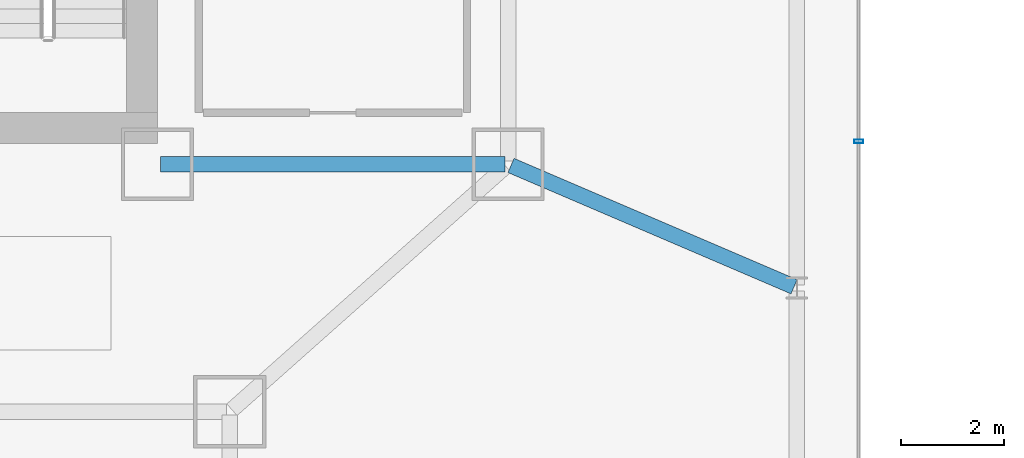
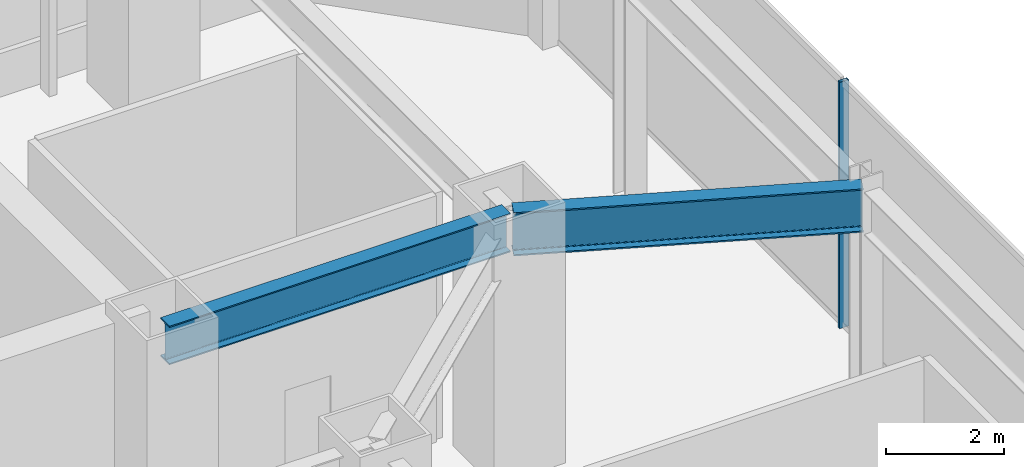
# One storey, part 29 of 51: 2 beams, 1 member, 1 element without a shape of its own.
"""IFC4 building model written with IfcOpenShell, lengths in metres."""

from ifc_helpers import new_model, si_unit, direction, frame, origin, origin_2d, place, context, subcontext, project, spatial, hollow_rectangle, i_section, extrude, material, material_profile, profile_set, type_object, element, aggregate, save


model = new_model("IFC4")

# Units and contexts
model_context = context("Model", 3, precision=1e-05, world=origin(), true_north=direction((0.0, 1.0)))
body_context = subcontext(model_context, "Body", "Model", "MODEL_VIEW")
ifc_project = project(units=[si_unit("LENGTHUNIT", "METRE"), si_unit("AREAUNIT", "SQUARE_METRE"), si_unit("VOLUMEUNIT", "CUBIC_METRE"), si_unit("PLANEANGLEUNIT", "RADIAN"), si_unit("MASSUNIT", "GRAM", prefix="KILO")], contexts=[model_context])

# Site, building, storey
site_placement = place(None, origin())
site = spatial("IfcSite", under=ifc_project, at=site_placement, CompositionType="ELEMENT")
building_placement = place(site_placement, origin())
building = spatial("IfcBuilding", under=site, at=building_placement, Name="Saevonmaru Cultural Tower", CompositionType="ELEMENT")
storey_placement = place(building_placement, frame((0.0, 0.0, 6.0)))
storey = spatial("IfcBuildingStorey", under=building, at=storey_placement, Name="L01", CompositionType="ELEMENT", Elevation=6.0)

# Beams
ifc_material_1 = material(Name="Steel SM420", Category="steel")
ifc_material_profile_1 = material_profile(ifc_material_1, i_section(OverallWidth=0.300048828125, OverallDepth=0.800048828125, WebThickness=0.013916015625, FlangeThickness=0.02587890625, FilletRadius=0.028076171875, at=origin_2d()), Name="H-800x300x14x26")
ifc_profile_set_1 = profile_set([ifc_material_profile_1], Name="Steel SM420")
beam_type_1 = type_object("IfcBeamType", Name="BM-G-H800", PredefinedType="BEAM", material=ifc_profile_set_1)
beam_1_placement = place(storey_placement, frame((46.4599609375, 42.39990234375, 4.699951171875), z_axis=(1.0, 0.0, 0.0), x_axis=(0.0, 1.0, 0.0)))
element("IfcBeam", 1, at=beam_1_placement, inside=storey, type_object=beam_type_1, Name="L01 Core South Girder 5", PredefinedType="BEAM", context=body_context, shape_type="SweptSolid", body=[
    extrude(i_section(OverallWidth=0.300048828125, OverallDepth=0.800048828125, WebThickness=0.013916015625, FlangeThickness=0.02587890625, FilletRadius=0.028076171875, at=origin_2d()), origin(), (0.0, 0.0, 1.0), 6.679931640625),
])
ifc_material_profile_2 = material_profile(ifc_material_1, i_section(OverallWidth=0.300048828125, OverallDepth=0.89990234375, WebThickness=0.01611328125, FlangeThickness=0.028076171875, FilletRadius=0.028076171875, at=origin_2d()), Name="H-900x300x16x28")
ifc_profile_set_2 = profile_set([ifc_material_profile_2], Name="Steel SM420")
beam_type_2 = type_object("IfcBeamType", Name="BM-G-H900", PredefinedType="BEAM", material=ifc_profile_set_2)
beam_2_placement = place(storey_placement, frame((53.255126953125, 42.37646484375, 4.64990234375), z_axis=(0.919142915717, -0.393924231912, 0.0), x_axis=(0.393924231912, 0.919142915717, 0.0)))
element("IfcBeam", 2, at=beam_2_placement, inside=storey, type_object=beam_type_2, Name="BM-POD-TE1-L01", PredefinedType="BEAM", context=body_context, shape_type="SweptSolid", body=[
    extrude(i_section(OverallWidth=0.300048828125, OverallDepth=0.89990234375, WebThickness=0.01611328125, FlangeThickness=0.028076171875, FilletRadius=0.028076171875, at=origin_2d()), origin(), (0.0, 0.0, 1.0), 5.97265625),
])

# Curtain wall, member
ifc_material_2 = material(Name="Satin Bronze Anodised Aluminium", Category="aluminium")
curtain_wall_type = type_object("IfcCurtainWallType", Name="CW-POD-GLZ", PredefinedType="NOTDEFINED", material=ifc_material_2)
curtain_wall_placement = place(storey_placement, origin())
curtain_wall = element("IfcCurtainWall", 3, at=curtain_wall_placement, inside=storey, type_object=curtain_wall_type, Name="L01 Saevon Plaza Curtain Wall", PredefinedType="NOTDEFINED")
ifc_material_profile_3 = material_profile(ifc_material_2, hollow_rectangle(XDim=0.06494140625, YDim=0.179931640625, WallThickness=0.00390625, at=origin_2d()), Name="ALU-MULL-180x65x4")
ifc_profile_set_3 = profile_set([ifc_material_profile_3], Name="Satin Bronze Anodised Aluminium")
member_type = type_object("IfcMemberType", Name="ML-CW-180x65", PredefinedType="MULLION", material=ifc_profile_set_3)
member_placement = place(storey_placement, frame((60.0, 42.843994140625, 0.0), z_axis=(0.0, 0.0, 1.0), x_axis=(0.0, 1.0, 0.0)))
member = element("IfcMember", 4, at=member_placement, type_object=member_type, Name="CW-POD-E-L01 mullion 5", PredefinedType="MULLION", context=body_context, shape_type="SweptSolid", body=[
    extrude(hollow_rectangle(XDim=0.06494140625, YDim=0.179931640625, WallThickness=0.00390625, at=origin_2d()), origin(), (0.0, 0.0, 1.0), 5.10009765625),
])
aggregate(curtain_wall, [member])

save(model, "model.ifc")
